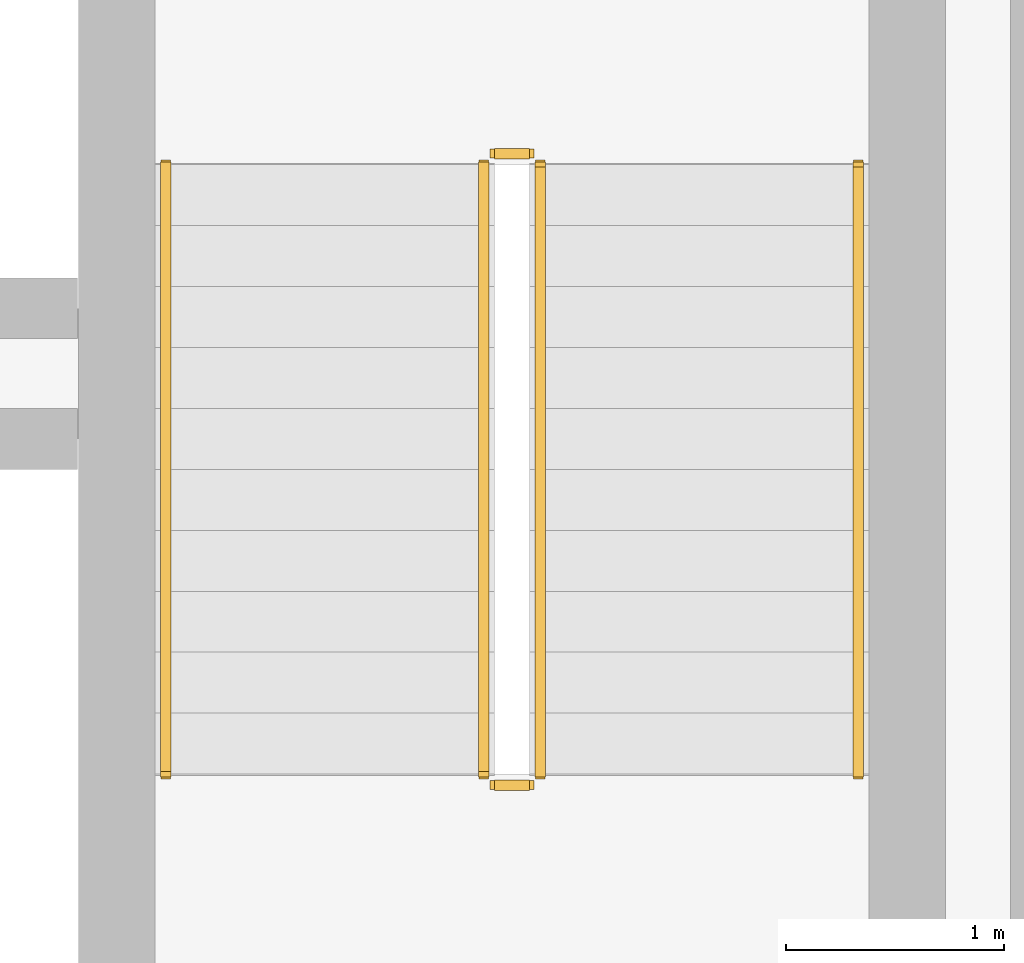
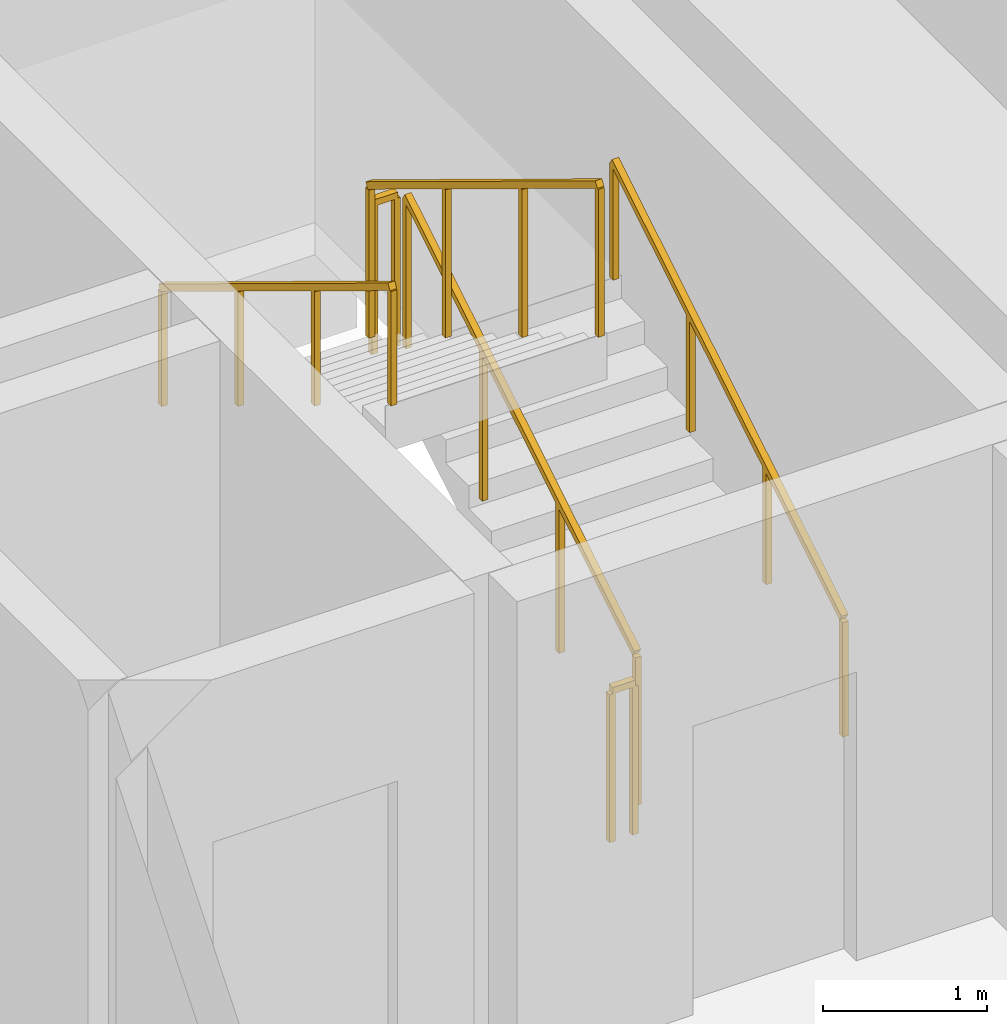
# One storey, part 15 of 15: 6 railings.
"""IFC4 building model written with IfcOpenShell, lengths in metres."""

from ifc_helpers import new_model, si_unit, direction, frame, origin, origin_2d, place, context, subcontext, project, spatial, rectangle, extrude, material, type_object, element, save


model = new_model("IFC4")

# Units and contexts
model_context = context("Model", 3, precision=1e-05, world=origin(), true_north=direction((0.0, 1.0)))
body_context = subcontext(model_context, "Body", "Model", "MODEL_VIEW")
ifc_project = project(units=[si_unit("LENGTHUNIT", "METRE"), si_unit("AREAUNIT", "SQUARE_METRE"), si_unit("VOLUMEUNIT", "CUBIC_METRE"), si_unit("PLANEANGLEUNIT", "RADIAN"), si_unit("MASSUNIT", "GRAM", prefix="KILO")], contexts=[model_context])

# Site, building, storey
site_placement = place(None, origin())
site = spatial("IfcSite", under=ifc_project, at=site_placement, CompositionType="ELEMENT")
building_placement = place(site_placement, origin())
building = spatial("IfcBuilding", under=site, at=building_placement, Name="Kaelvorn Grand Hotel", CompositionType="ELEMENT")
storey_placement = place(building_placement, frame((0.0, 0.0, 42.64990234375)))
storey = spatial("IfcBuildingStorey", under=building, at=storey_placement, Name="L08", CompositionType="ELEMENT", Elevation=42.64990234375)

# Railings
ifc_material = material(Name="Stainless Steel", Category="steel")
railing_type_1 = type_object("IfcRailingType", Name="RL-HANDRAIL-900", PredefinedType="HANDRAIL", material=ifc_material)
railing_1_placement = place(storey_placement, frame((66.550048828125, 41.760009765625, 0.170654296875)))
element("IfcRailing", 1, at=railing_1_placement, inside=storey, type_object=railing_type_1, Name="L08 ST3 stair handrail 1", PredefinedType="HANDRAIL", context=body_context, shape_type="SweptSolid", body=[
    extrude(rectangle(XDim=0.048095703125, YDim=0.048095703125, at=origin_2d()), frame((0.0, 0.0, 0.8759765625), z_axis=(0.0, 0.854202870247, 0.519939858505), x_axis=(-1.0, 0.0, 0.0)), (0.0, 0.0, 1.0), 3.278076171875),
    extrude(rectangle(XDim=0.0419921875, YDim=0.0419921875, at=origin_2d()), origin(), (0.0, 0.0, 1.0), 0.851806640625),
    extrude(rectangle(XDim=0.0419921875, YDim=0.0419921875, at=origin_2d()), frame((0.0, 0.933349609375, 0.568115234375)), (0.0, 0.0, 1.0), 0.851806640625),
    extrude(rectangle(XDim=0.0419921875, YDim=0.0419921875, at=origin_2d()), frame((0.0, 1.86669921875, 1.13623046875)), (0.0, 0.0, 1.0), 0.851806640625),
    extrude(rectangle(XDim=0.0419921875, YDim=0.0419921875, at=origin_2d()), frame((0.0, 2.800048828125, 1.704345703125)), (0.0, 0.0, 1.0), 0.851806640625),
])
railing_2_placement = place(storey_placement, frame((63.3701171875, 44.56005859375, 2.045654296875)))
element("IfcRailing", 2, at=railing_2_placement, inside=storey, type_object=railing_type_1, Name="L08 ST3 stair handrail 2", PredefinedType="HANDRAIL", context=body_context, shape_type="SweptSolid", body=[
    extrude(rectangle(XDim=0.048095703125, YDim=0.048095703125, at=origin_2d()), frame((0.0, 0.0, 0.8759765625), z_axis=(0.0, -0.854202870247, 0.519939858505), x_axis=(1.0, 0.0, 0.0)), (0.0, 0.0, 1.0), 3.278076171875),
    extrude(rectangle(XDim=0.0419921875, YDim=0.0419921875, at=origin_2d()), origin(), (0.0, 0.0, 1.0), 0.851806640625),
    extrude(rectangle(XDim=0.0419921875, YDim=0.0419921875, at=origin_2d()), frame((0.0, -0.933349609375, 0.568115234375)), (0.0, 0.0, 1.0), 0.851806640625),
    extrude(rectangle(XDim=0.0419921875, YDim=0.0419921875, at=origin_2d()), frame((0.0, -1.86669921875, 1.13623046875)), (0.0, 0.0, 1.0), 0.851806640625),
    extrude(rectangle(XDim=0.0419921875, YDim=0.0419921875, at=origin_2d()), frame((0.0, -2.800048828125, 1.704345703125)), (0.0, 0.0, 1.0), 0.851806640625),
])
railing_type_2 = type_object("IfcRailingType", Name="RL-STAIR-GUARD-1150", PredefinedType="BALUSTRADE", material=ifc_material)
railing_3_placement = place(storey_placement, frame((65.090087890625, 41.760009765625, 0.170654296875)))
element("IfcRailing", 3, at=railing_3_placement, inside=storey, type_object=railing_type_2, Name="L08 ST3 stair guard 1", PredefinedType="BALUSTRADE", context=body_context, shape_type="SweptSolid", body=[
    extrude(rectangle(XDim=0.048095703125, YDim=0.048095703125, at=origin_2d()), frame((0.0, 0.0, 1.1259765625), z_axis=(0.0, 0.854202870247, 0.519939858505), x_axis=(-1.0, 0.0, 0.0)), (0.0, 0.0, 1.0), 3.278076171875),
    extrude(rectangle(XDim=0.0419921875, YDim=0.0419921875, at=origin_2d()), origin(), (0.0, 0.0, 1.0), 1.101806640625),
    extrude(rectangle(XDim=0.0419921875, YDim=0.0419921875, at=origin_2d()), frame((0.0, 0.933349609375, 0.568115234375)), (0.0, 0.0, 1.0), 1.101806640625),
    extrude(rectangle(XDim=0.0419921875, YDim=0.0419921875, at=origin_2d()), frame((0.0, 1.86669921875, 1.13623046875)), (0.0, 0.0, 1.0), 1.101806640625),
    extrude(rectangle(XDim=0.0419921875, YDim=0.0419921875, at=origin_2d()), frame((0.0, 2.800048828125, 1.704345703125)), (0.0, 0.0, 1.0), 1.101806640625),
])
railing_4_placement = place(storey_placement, frame((65.0400390625, 44.610107421875, 1.875)))
element("IfcRailing", 4, at=railing_4_placement, inside=storey, type_object=railing_type_2, Name="L08 ST3 stair guard 2", PredefinedType="BALUSTRADE", context=body_context, shape_type="SweptSolid", body=[
    extrude(rectangle(XDim=0.048095703125, YDim=0.048095703125, at=origin_2d()), frame((0.0, 0.0, 1.1259765625), z_axis=(-1.0, 0.0, 0.0), x_axis=(0.0, -1.0, 0.0)), (0.0, 0.0, 1.0), 0.16015625),
    extrude(rectangle(XDim=0.0419921875, YDim=0.0419921875, at=origin_2d()), origin(), (0.0, 0.0, 1.0), 1.101806640625),
    extrude(rectangle(XDim=0.0419921875, YDim=0.0419921875, at=origin_2d()), frame((-0.16015625, 0.0, 0.0)), (0.0, 0.0, 1.0), 1.101806640625),
])
railing_5_placement = place(storey_placement, frame((64.830078125, 44.56005859375, 2.045654296875)))
element("IfcRailing", 5, at=railing_5_placement, inside=storey, type_object=railing_type_2, Name="L08 ST3 stair guard 3", PredefinedType="BALUSTRADE", context=body_context, shape_type="SweptSolid", body=[
    extrude(rectangle(XDim=0.048095703125, YDim=0.048095703125, at=origin_2d()), frame((0.0, 0.0, 1.1259765625), z_axis=(0.0, -0.854202870247, 0.519939858505), x_axis=(1.0, 0.0, 0.0)), (0.0, 0.0, 1.0), 3.278076171875),
    extrude(rectangle(XDim=0.0419921875, YDim=0.0419921875, at=origin_2d()), origin(), (0.0, 0.0, 1.0), 1.101806640625),
    extrude(rectangle(XDim=0.0419921875, YDim=0.0419921875, at=origin_2d()), frame((0.0, -0.933349609375, 0.568115234375)), (0.0, 0.0, 1.0), 1.101806640625),
    extrude(rectangle(XDim=0.0419921875, YDim=0.0419921875, at=origin_2d()), frame((0.0, -1.86669921875, 1.13623046875)), (0.0, 0.0, 1.0), 1.101806640625),
    extrude(rectangle(XDim=0.0419921875, YDim=0.0419921875, at=origin_2d()), frame((0.0, -2.800048828125, 1.704345703125)), (0.0, 0.0, 1.0), 1.101806640625),
])
railing_6_placement = place(storey_placement, frame((65.0400390625, 41.7099609375, 0.0)))
element("IfcRailing", 6, at=railing_6_placement, inside=storey, type_object=railing_type_2, Name="L08 ST3 stair guard 4", PredefinedType="BALUSTRADE", context=body_context, shape_type="SweptSolid", body=[
    extrude(rectangle(XDim=0.048095703125, YDim=0.048095703125, at=origin_2d()), frame((0.0, 0.0, 1.1259765625), z_axis=(-1.0, 0.0, 0.0), x_axis=(0.0, -1.0, 0.0)), (0.0, 0.0, 1.0), 0.16015625),
    extrude(rectangle(XDim=0.0419921875, YDim=0.0419921875, at=origin_2d()), origin(), (0.0, 0.0, 1.0), 1.101806640625),
    extrude(rectangle(XDim=0.0419921875, YDim=0.0419921875, at=origin_2d()), frame((-0.16015625, 0.0, 0.0)), (0.0, 0.0, 1.0), 1.101806640625),
])

save(model, "model.ifc")
